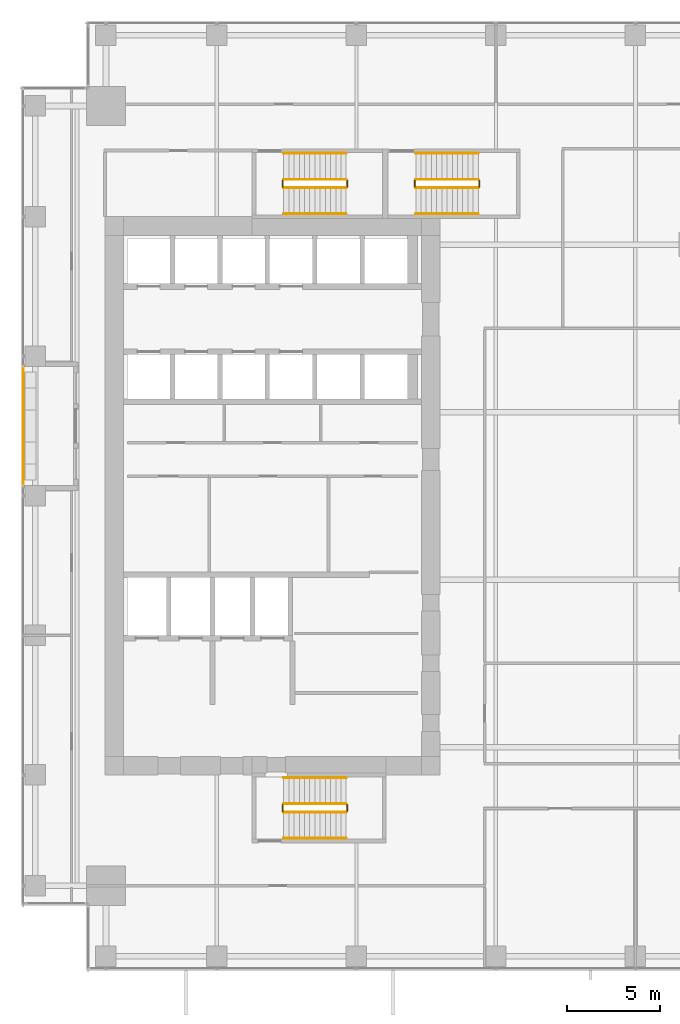
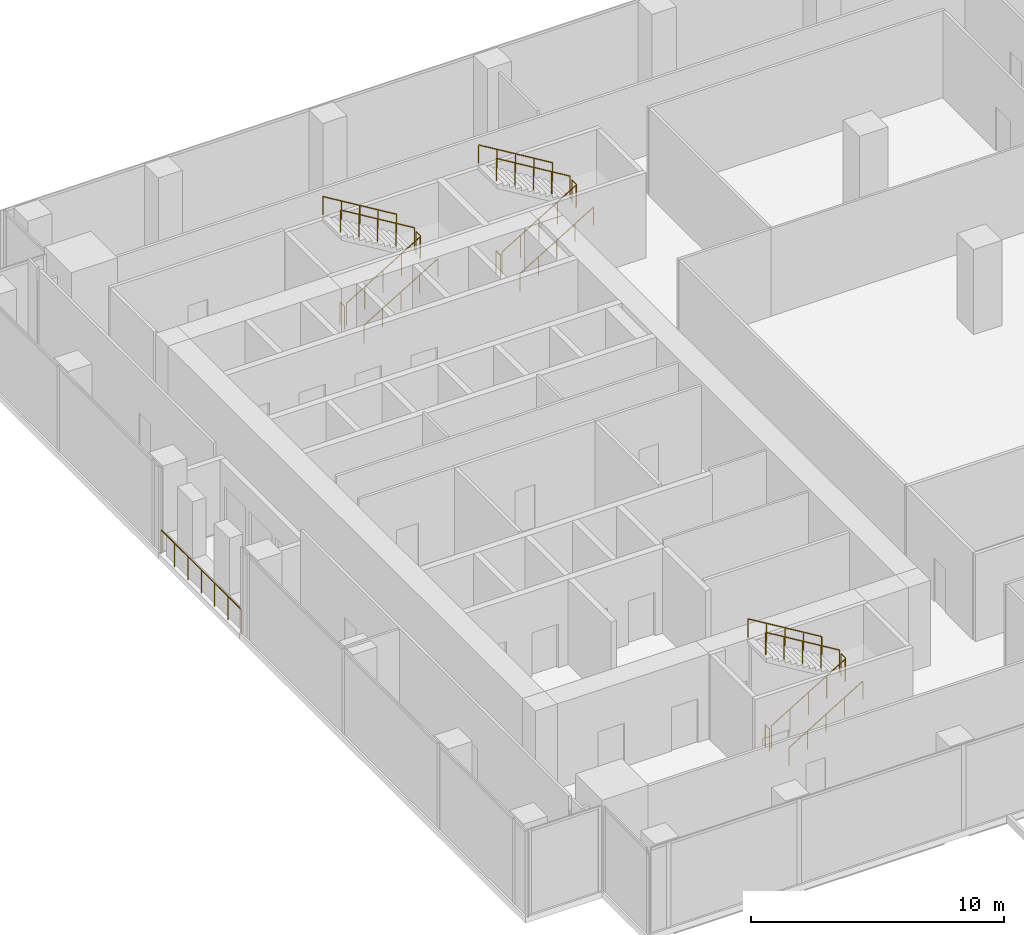
# One storey, part 33 of 35: 19 railings.
"""IFC4 building model written with IfcOpenShell, lengths in metres."""

from ifc_helpers import new_model, si_unit, direction, frame, origin, origin_2d, place, context, subcontext, project, spatial, circle, extrude, source, transform, mapped, material, type_object, element, save


model = new_model("IFC4")

# Units and contexts
model_context = context("Model", 3, precision=1e-05, world=origin(), true_north=direction((0.0, 1.0)))
body_context = subcontext(model_context, "Body", "Model", "MODEL_VIEW")
ifc_project = project(units=[si_unit("LENGTHUNIT", "METRE"), si_unit("AREAUNIT", "SQUARE_METRE"), si_unit("VOLUMEUNIT", "CUBIC_METRE"), si_unit("PLANEANGLEUNIT", "RADIAN"), si_unit("MASSUNIT", "GRAM", prefix="KILO")], contexts=[model_context])

# Site, building, storey
site_placement = place(None, origin())
site = spatial("IfcSite", under=ifc_project, at=site_placement, CompositionType="ELEMENT")
building_placement = place(site_placement, origin())
building = spatial("IfcBuilding", under=site, at=building_placement, Name="Khomas Fold Tower", CompositionType="ELEMENT")
storey_placement = place(building_placement, frame((0.0, 0.0, 132.300048828125)))
storey = spatial("IfcBuildingStorey", under=building, at=storey_placement, Name="L28", CompositionType="ELEMENT", Elevation=132.300048828125)

# Railings
ifc_material_1 = material(Name="Powder-coated steel", Category="steel")
railing_type_1 = type_object("IfcRailingType", Name="Balcony guard", PredefinedType="GUARDRAIL", material=ifc_material_1)
shared_shape_1 = source(origin(), body_context, "Body", "SweptSolid", [
    extrude(circle(Radius=0.02490234375, at=origin_2d()), frame((0.0, 0.0, 1.125), z_axis=(0.0, 1.0, 0.0), x_axis=(-1.0, 0.0, 0.0)), (0.0, 0.0, 1.0), 6.33984375),
    extrude(circle(Radius=0.02001953125, at=origin_2d()), origin(), (0.0, 0.0, 1.0), 1.099853515625),
    extrude(circle(Radius=0.02001953125, at=origin_2d()), frame((0.0, 1.056640625, 0.0)), (0.0, 0.0, 1.0), 1.099853515625),
    extrude(circle(Radius=0.02001953125, at=origin_2d()), frame((0.0, 2.11328125, 0.0)), (0.0, 0.0, 1.0), 1.099853515625),
    extrude(circle(Radius=0.02001953125, at=origin_2d()), frame((0.0, 3.169921875, 0.0)), (0.0, 0.0, 1.0), 1.099853515625),
    extrude(circle(Radius=0.02001953125, at=origin_2d()), frame((0.0, 4.2265625, 0.0)), (0.0, 0.0, 1.0), 1.099853515625),
    extrude(circle(Radius=0.02001953125, at=origin_2d()), frame((0.0, 5.283203125, 0.0)), (0.0, 0.0, 1.0), 1.099853515625),
    extrude(circle(Radius=0.02001953125, at=origin_2d()), frame((0.0, 6.33984375, 0.0)), (0.0, 0.0, 1.0), 1.099853515625),
])
railing_1_placement = place(storey_placement, frame((1.60009765625, 27.580078125, -0.045166015625)))
element("IfcRailing", 1, at=railing_1_placement, inside=storey, type_object=railing_type_1, Name="Balcony guard BAL-L28-W3", PredefinedType="GUARDRAIL", context=body_context, shape_type="MappedRepresentation", body=[
    mapped(shared_shape_1, transform((0.0, 0.0, 0.0))),
])
ifc_material_2 = material(Name="Steel balustrade", Category="steel")
railing_type_2 = type_object("IfcRailingType", Name="Stair guard", PredefinedType="GUARDRAIL", material=ifc_material_2)
shared_shape_2 = source(origin(), body_context, "Body", "SweptSolid", [
    extrude(circle(Radius=0.02392578125, at=origin_2d()), frame((0.0, 0.0, 1.076171875), z_axis=(0.0, 1.0, 0.0), x_axis=(-1.0, 0.0, 0.0)), (0.0, 0.0, 1.0), 0.349853515625),
    extrude(circle(Radius=0.02099609375, at=origin_2d()), origin(), (0.0, 0.0, 1.0), 1.052001953125),
    extrude(circle(Radius=0.02099609375, at=origin_2d()), frame((0.0, 0.349853515625, 0.0)), (0.0, 0.0, 1.0), 1.052001953125),
])
for number, where, name in (
    (2, (19.010009765625, 43.60009765625, 2.199951171875), "L28 ST1 stair guard 2"),
    (3, (15.550048828125, 43.60009765625, 0.0), "L28 ST1 stair guard 4"),
    (4, (19.010009765625, 10.050048828125, 2.199951171875), "L28 ST2 stair guard 2"),
    (5, (15.550048828125, 10.050048828125, 0.0), "L28 ST2 stair guard 4"),
    (6, (26.110107421875, 43.60009765625, 2.199951171875), "L28 ST3 stair guard 2"),
    (7, (22.64990234375, 43.60009765625, 0.0), "L28 ST3 stair guard 4"),
):
    element("IfcRailing", number, at=place(storey_placement, frame(where)), inside=storey, type_object=railing_type_2, Name=name, PredefinedType="GUARDRAIL", context=body_context, shape_type="MappedRepresentation", body=[
        mapped(shared_shape_2, transform((0.0, 0.0, 0.0))),
    ])
shared_shape_3 = source(origin(), body_context, "Body", "SweptSolid", [
    extrude(circle(Radius=0.02392578125, at=origin_2d()), frame((0.0, 0.0, 1.076171875), z_axis=(0.855820338506, 0.0, 0.51727318527), x_axis=(0.0, 1.0, 0.0)), (0.0, 0.0, 1.0), 3.92578125),
    extrude(circle(Radius=0.02099609375, at=origin_2d()), origin(), (0.0, 0.0, 1.0), 1.052001953125),
    extrude(circle(Radius=0.02099609375, at=origin_2d()), frame((0.83984375, 0.0, 0.5078125)), (0.0, 0.0, 1.0), 1.052001953125),
    extrude(circle(Radius=0.02099609375, at=origin_2d()), frame((1.679931640625, 0.0, 1.015380859375)), (0.0, 0.0, 1.0), 1.052001953125),
    extrude(circle(Radius=0.02099609375, at=origin_2d()), frame((2.52001953125, 0.0, 1.52294921875)), (0.0, 0.0, 1.0), 1.052001953125),
    extrude(circle(Radius=0.02099609375, at=origin_2d()), frame((3.35986328125, 0.0, 2.03076171875)), (0.0, 0.0, 1.0), 1.052001953125),
])
for number, where, name in (
    (8, (15.60009765625, 43.550048828125, 0.169189453125), "L28 ST1 stair guard 1"),
    (9, (15.60009765625, 10.0, 0.169189453125), "L28 ST2 stair guard 1"),
):
    element("IfcRailing", number, at=place(storey_placement, frame(where)), inside=storey, type_object=railing_type_2, Name=name, PredefinedType="GUARDRAIL", context=body_context, shape_type="MappedRepresentation", body=[
        mapped(shared_shape_3, transform((0.0, 0.0, 0.0))),
    ])
shared_shape_4 = source(origin(), body_context, "Body", "SweptSolid", [
    extrude(circle(Radius=0.02392578125, at=origin_2d()), frame((0.0, 0.0, 1.076171875), z_axis=(-0.855820338506, 0.0, 0.51727318527), x_axis=(0.0, -1.0, 0.0)), (0.0, 0.0, 1.0), 3.92578125),
    extrude(circle(Radius=0.02099609375, at=origin_2d()), origin(), (0.0, 0.0, 1.0), 1.052001953125),
    extrude(circle(Radius=0.02099609375, at=origin_2d()), frame((-0.83984375, 0.0, 0.5078125)), (0.0, 0.0, 1.0), 1.052001953125),
    extrude(circle(Radius=0.02099609375, at=origin_2d()), frame((-1.679931640625, 0.0, 1.015380859375)), (0.0, 0.0, 1.0), 1.052001953125),
    extrude(circle(Radius=0.02099609375, at=origin_2d()), frame((-2.52001953125, 0.0, 1.52294921875)), (0.0, 0.0, 1.0), 1.052001953125),
    extrude(circle(Radius=0.02099609375, at=origin_2d()), frame((-3.35986328125, 0.0, 2.03076171875)), (0.0, 0.0, 1.0), 1.052001953125),
])
for number, where, name in (
    (10, (18.9599609375, 44.0, 2.369140625), "L28 ST1 stair guard 3"),
    (11, (18.9599609375, 10.449951171875, 2.369140625), "L28 ST2 stair guard 3"),
):
    element("IfcRailing", number, at=place(storey_placement, frame(where)), inside=storey, type_object=railing_type_2, Name=name, PredefinedType="GUARDRAIL", context=body_context, shape_type="MappedRepresentation", body=[
        mapped(shared_shape_4, transform((0.0, 0.0, 0.0))),
    ])
ifc_material_3 = material(Name="Steel handrail", Category="steel")
railing_type_3 = type_object("IfcRailingType", Name="Stair handrail", PredefinedType="HANDRAIL", material=ifc_material_3)
shared_shape_5 = source(origin(), body_context, "Body", "SweptSolid", [
    extrude(circle(Radius=0.02392578125, at=origin_2d()), frame((0.0, 0.0, 0.8759765625), z_axis=(0.855820338506, 0.0, 0.51727318527), x_axis=(0.0, 1.0, 0.0)), (0.0, 0.0, 1.0), 3.92578125),
    extrude(circle(Radius=0.02099609375, at=origin_2d()), origin(), (0.0, 0.0, 1.0), 0.851806640625),
    extrude(circle(Radius=0.02099609375, at=origin_2d()), frame((0.83984375, 0.0, 0.5078125)), (0.0, 0.0, 1.0), 0.851806640625),
    extrude(circle(Radius=0.02099609375, at=origin_2d()), frame((1.679931640625, 0.0, 1.015380859375)), (0.0, 0.0, 1.0), 0.851806640625),
    extrude(circle(Radius=0.02099609375, at=origin_2d()), frame((2.52001953125, 0.0, 1.52294921875)), (0.0, 0.0, 1.0), 0.851806640625),
    extrude(circle(Radius=0.02099609375, at=origin_2d()), frame((3.35986328125, 0.0, 2.03076171875)), (0.0, 0.0, 1.0), 0.851806640625),
])
for number, where, name in (
    (12, (15.60009765625, 42.14990234375, 0.169189453125), "L28 ST1 stair handrail 1"),
    (13, (15.60009765625, 8.60009765625, 0.169189453125), "L28 ST2 stair handrail 1"),
):
    element("IfcRailing", number, at=place(storey_placement, frame(where)), inside=storey, type_object=railing_type_3, Name=name, PredefinedType="HANDRAIL", context=body_context, shape_type="MappedRepresentation", body=[
        mapped(shared_shape_5, transform((0.0, 0.0, 0.0))),
    ])
shared_shape_6 = source(origin(), body_context, "Body", "SweptSolid", [
    extrude(circle(Radius=0.02392578125, at=origin_2d()), frame((0.0, 0.0, 0.8759765625), z_axis=(-0.855820338506, 0.0, 0.51727318527), x_axis=(0.0, -1.0, 0.0)), (0.0, 0.0, 1.0), 3.92578125),
    extrude(circle(Radius=0.02099609375, at=origin_2d()), origin(), (0.0, 0.0, 1.0), 0.851806640625),
    extrude(circle(Radius=0.02099609375, at=origin_2d()), frame((-0.83984375, 0.0, 0.5078125)), (0.0, 0.0, 1.0), 0.851806640625),
    extrude(circle(Radius=0.02099609375, at=origin_2d()), frame((-1.679931640625, 0.0, 1.015380859375)), (0.0, 0.0, 1.0), 0.851806640625),
    extrude(circle(Radius=0.02099609375, at=origin_2d()), frame((-2.52001953125, 0.0, 1.52294921875)), (0.0, 0.0, 1.0), 0.851806640625),
    extrude(circle(Radius=0.02099609375, at=origin_2d()), frame((-3.35986328125, 0.0, 2.03076171875)), (0.0, 0.0, 1.0), 0.851806640625),
])
for number, where, name in (
    (14, (18.9599609375, 45.39990234375, 2.369140625), "L28 ST1 stair handrail 2"),
    (15, (18.9599609375, 11.85009765625, 2.369140625), "L28 ST2 stair handrail 2"),
):
    element("IfcRailing", number, at=place(storey_placement, frame(where)), inside=storey, type_object=railing_type_3, Name=name, PredefinedType="HANDRAIL", context=body_context, shape_type="MappedRepresentation", body=[
        mapped(shared_shape_6, transform((0.0, 0.0, 0.0))),
    ])
shared_shape_7 = source(origin(), body_context, "Body", "SweptSolid", [
    extrude(circle(Radius=0.02392578125, at=origin_2d()), frame((0.0, 0.0, 1.076171875), z_axis=(0.855836976705, 0.0, 0.517245656632), x_axis=(0.0, 1.0, 0.0)), (0.0, 0.0, 1.0), 3.926025390625),
    extrude(circle(Radius=0.02099609375, at=origin_2d()), origin(), (0.0, 0.0, 1.0), 1.052001953125),
    extrude(circle(Radius=0.02099609375, at=origin_2d()), frame((0.840087890625, 0.0, 0.5078125)), (0.0, 0.0, 1.0), 1.052001953125),
    extrude(circle(Radius=0.02099609375, at=origin_2d()), frame((1.68017578125, 0.0, 1.015380859375)), (0.0, 0.0, 1.0), 1.052001953125),
    extrude(circle(Radius=0.02099609375, at=origin_2d()), frame((2.52001953125, 0.0, 1.52294921875)), (0.0, 0.0, 1.0), 1.052001953125),
    extrude(circle(Radius=0.02099609375, at=origin_2d()), frame((3.360107421875, 0.0, 2.03076171875)), (0.0, 0.0, 1.0), 1.052001953125),
])
railing_2_placement = place(storey_placement, frame((22.699951171875, 43.550048828125, 0.169189453125)))
element("IfcRailing", 16, at=railing_2_placement, inside=storey, type_object=railing_type_2, Name="L28 ST3 stair guard 1", PredefinedType="GUARDRAIL", context=body_context, shape_type="MappedRepresentation", body=[
    mapped(shared_shape_7, transform((0.0, 0.0, 0.0))),
])
shared_shape_8 = source(origin(), body_context, "Body", "SweptSolid", [
    extrude(circle(Radius=0.02392578125, at=origin_2d()), frame((0.0, 0.0, 1.076171875), z_axis=(-0.855836976705, 0.0, 0.517245656632), x_axis=(0.0, -1.0, 0.0)), (0.0, 0.0, 1.0), 3.926025390625),
    extrude(circle(Radius=0.02099609375, at=origin_2d()), origin(), (0.0, 0.0, 1.0), 1.052001953125),
    extrude(circle(Radius=0.02099609375, at=origin_2d()), frame((-0.840087890625, 0.0, 0.5078125)), (0.0, 0.0, 1.0), 1.052001953125),
    extrude(circle(Radius=0.02099609375, at=origin_2d()), frame((-1.68017578125, 0.0, 1.015380859375)), (0.0, 0.0, 1.0), 1.052001953125),
    extrude(circle(Radius=0.02099609375, at=origin_2d()), frame((-2.52001953125, 0.0, 1.52294921875)), (0.0, 0.0, 1.0), 1.052001953125),
    extrude(circle(Radius=0.02099609375, at=origin_2d()), frame((-3.360107421875, 0.0, 2.03076171875)), (0.0, 0.0, 1.0), 1.052001953125),
])
railing_3_placement = place(storey_placement, frame((26.06005859375, 44.0, 2.369140625)))
element("IfcRailing", 17, at=railing_3_placement, inside=storey, type_object=railing_type_2, Name="L28 ST3 stair guard 3", PredefinedType="GUARDRAIL", context=body_context, shape_type="MappedRepresentation", body=[
    mapped(shared_shape_8, transform((0.0, 0.0, 0.0))),
])
shared_shape_9 = source(origin(), body_context, "Body", "SweptSolid", [
    extrude(circle(Radius=0.02392578125, at=origin_2d()), frame((0.0, 0.0, 0.8759765625), z_axis=(0.855836976705, 0.0, 0.517245656632), x_axis=(0.0, 1.0, 0.0)), (0.0, 0.0, 1.0), 3.926025390625),
    extrude(circle(Radius=0.02099609375, at=origin_2d()), origin(), (0.0, 0.0, 1.0), 0.851806640625),
    extrude(circle(Radius=0.02099609375, at=origin_2d()), frame((0.840087890625, 0.0, 0.5078125)), (0.0, 0.0, 1.0), 0.851806640625),
    extrude(circle(Radius=0.02099609375, at=origin_2d()), frame((1.68017578125, 0.0, 1.015380859375)), (0.0, 0.0, 1.0), 0.851806640625),
    extrude(circle(Radius=0.02099609375, at=origin_2d()), frame((2.52001953125, 0.0, 1.52294921875)), (0.0, 0.0, 1.0), 0.851806640625),
    extrude(circle(Radius=0.02099609375, at=origin_2d()), frame((3.360107421875, 0.0, 2.03076171875)), (0.0, 0.0, 1.0), 0.851806640625),
])
railing_4_placement = place(storey_placement, frame((22.699951171875, 42.14990234375, 0.169189453125)))
element("IfcRailing", 18, at=railing_4_placement, inside=storey, type_object=railing_type_3, Name="L28 ST3 stair handrail 1", PredefinedType="HANDRAIL", context=body_context, shape_type="MappedRepresentation", body=[
    mapped(shared_shape_9, transform((0.0, 0.0, 0.0))),
])
shared_shape_10 = source(origin(), body_context, "Body", "SweptSolid", [
    extrude(circle(Radius=0.02392578125, at=origin_2d()), frame((0.0, 0.0, 0.8759765625), z_axis=(-0.855836976705, 0.0, 0.517245656632), x_axis=(0.0, -1.0, 0.0)), (0.0, 0.0, 1.0), 3.926025390625),
    extrude(circle(Radius=0.02099609375, at=origin_2d()), origin(), (0.0, 0.0, 1.0), 0.851806640625),
    extrude(circle(Radius=0.02099609375, at=origin_2d()), frame((-0.840087890625, 0.0, 0.5078125)), (0.0, 0.0, 1.0), 0.851806640625),
    extrude(circle(Radius=0.02099609375, at=origin_2d()), frame((-1.68017578125, 0.0, 1.015380859375)), (0.0, 0.0, 1.0), 0.851806640625),
    extrude(circle(Radius=0.02099609375, at=origin_2d()), frame((-2.52001953125, 0.0, 1.52294921875)), (0.0, 0.0, 1.0), 0.851806640625),
    extrude(circle(Radius=0.02099609375, at=origin_2d()), frame((-3.360107421875, 0.0, 2.03076171875)), (0.0, 0.0, 1.0), 0.851806640625),
])
railing_5_placement = place(storey_placement, frame((26.06005859375, 45.39990234375, 2.369140625)))
element("IfcRailing", 19, at=railing_5_placement, inside=storey, type_object=railing_type_3, Name="L28 ST3 stair handrail 2", PredefinedType="HANDRAIL", context=body_context, shape_type="MappedRepresentation", body=[
    mapped(shared_shape_10, transform((0.0, 0.0, 0.0))),
])

save(model, "model.ifc")
